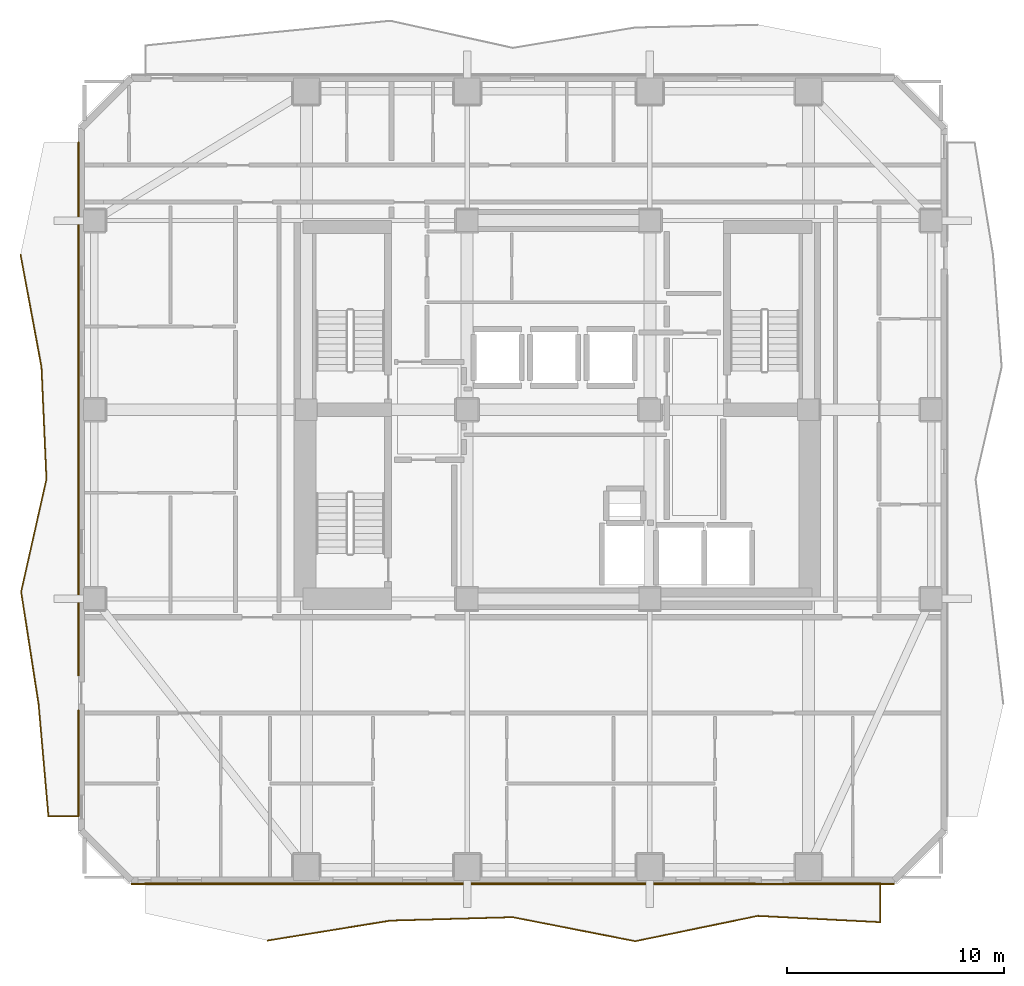
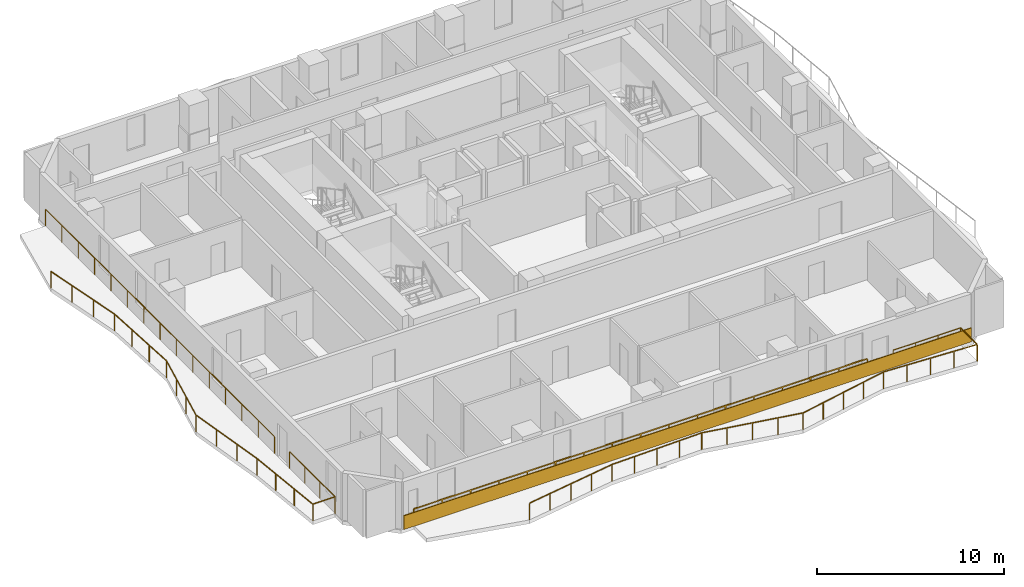
# One storey, part 8 of 11: 4 railings, 1 covering.
"""IFC4 building model written with IfcOpenShell, lengths in metres."""

import ifcopenshell
import ifcopenshell.guid

model = None  # the IFC model being written
_history = None  # IfcOwnerHistory: only IFC2X3 demands one
_inside = {}  # id of a spatial element -> (the spatial element, [elements in it])
_under = {}  # id of a project, library or spatial element -> (it, [spatial elements below it])
_declared = {}  # id of a project -> (the project, [libraries it declares])
_typed = {}  # id of a type object -> (the type object, [elements of that type])
_made_of = {}  # id of a material, layer set ... -> (it, [elements and type objects made of it])


def new_model(schema):
    """Start an empty IFC model of exactly this schema.

    Asked for "IFC4X3", IfcOpenShell would pick the latest addendum, in which some entities
    have other attributes; the version numbers below select the first issue.
    IFC2X3 requires an IfcOwnerHistory on every rooted entity: one is made here for all.
    """
    global model, _history
    if schema == "IFC4X3":
        model = ifcopenshell.file(schema_version=(4, 3, 0, 0))
    else:
        model = ifcopenshell.file(schema=schema)
    _inside.clear()
    _under.clear()
    _declared.clear()
    _typed.clear()
    _made_of.clear()
    _history = None
    if model.schema == "IFC2X3":
        org = make("IfcOrganization", Name="unknown")
        user = make(
            "IfcPersonAndOrganization",
            ThePerson=make("IfcPerson", FamilyName="unknown"),
            TheOrganization=org,
        )
        app = make(
            "IfcApplication",
            ApplicationDeveloper=org,
            Version="unknown",
            ApplicationFullName="unknown",
            ApplicationIdentifier="unknown",
        )
        _history = make(
            "IfcOwnerHistory",
            OwningUser=user,
            OwningApplication=app,
            ChangeAction="ADDED",
            CreationDate=0,
        )
    return model


def make(cls, **values):
    """One entity of the class cls with the attributes given. An attribute that is None is left unset."""
    return model.create_entity(
        cls, **{name: value for name, value in values.items() if value is not None}
    )


def rooted(cls, **values):
    """An entity with a GlobalId (a new one), such as an element, a storey or a relation."""
    return make(cls, GlobalId=ifcopenshell.guid.new(), OwnerHistory=_history, **values)


def si_unit(unit_type, name, prefix=None):
    """IfcSIUnit, for example si_unit("LENGTHUNIT", "METRE", prefix="MILLI")."""
    return make("IfcSIUnit", UnitType=unit_type, Prefix=prefix, Name=name)


def assignment(units):
    """IfcUnitAssignment: the units of a project."""
    return None if units is None else make("IfcUnitAssignment", Units=units)


def point(xyz):
    """IfcCartesianPoint."""
    return None if xyz is None else make("IfcCartesianPoint", Coordinates=xyz)


def direction(xyz):
    """IfcDirection."""
    return None if xyz is None else make("IfcDirection", DirectionRatios=xyz)


def frame(location, z_axis=None, x_axis=None):
    """IfcAxis2Placement3D, a coordinate frame: its origin and axes. An axis left out is left unset."""
    return make(
        "IfcAxis2Placement3D",
        Location=point(location),
        Axis=direction(z_axis),
        RefDirection=direction(x_axis),
    )


def frame_2d(location, x_axis=None):
    """IfcAxis2Placement2D, a coordinate frame in the plane: its origin and x axis."""
    return make(
        "IfcAxis2Placement2D", Location=point(location), RefDirection=direction(x_axis)
    )


def origin():
    """The frame at (0, 0, 0) with its axes left unset."""
    return frame((0.0, 0.0, 0.0))


def origin_2d():
    """The frame at (0, 0) in the plane with its x axis left unset."""
    return frame_2d((0.0, 0.0))


def place(relative_to, where):
    """IfcLocalPlacement: puts the frame where relative to a parent placement (None: the world)."""
    return make(
        "IfcLocalPlacement", PlacementRelTo=relative_to, RelativePlacement=where
    )


def context(
    kind, dimensions, precision=None, world=None, true_north=None, identifier=None
):
    """IfcGeometricRepresentationContext, for example the 3D "Model" context."""
    return make(
        "IfcGeometricRepresentationContext",
        ContextIdentifier=identifier,
        ContextType=kind,
        CoordinateSpaceDimension=dimensions,
        Precision=precision,
        WorldCoordinateSystem=world,
        TrueNorth=true_north,
    )


def subcontext(parent, identifier, kind, view, scale=None):
    """IfcGeometricRepresentationSubContext, for example "Body" below "Model"."""
    return make(
        "IfcGeometricRepresentationSubContext",
        ContextIdentifier=identifier,
        ContextType=kind,
        ParentContext=parent,
        TargetScale=scale,
        TargetView=view,
    )


def project(units=None, contexts=None):
    """IfcProject with its units and contexts."""
    return rooted(
        "IfcProject",
        Name="project",
        RepresentationContexts=contexts,
        UnitsInContext=assignment(units),
    )


def spatial(cls, under=None, at=None, **own):
    """A site, building, storey or space (cls), placed at a placement, below another one or the project."""
    s = rooted(cls, ObjectPlacement=at, **own)
    if under is not None:
        _under.setdefault(under.id(), (under, []))[1].append(s)
    return s


def profile(cls, at=None, kind="AREA", **sizes):
    """A parametric profile (cls). Its sizes go by their IFC names, for example OverallWidth=200.0."""
    return make(cls, ProfileType=kind, Position=at, **sizes)


def rectangle(**sizes):
    """IfcRectangleProfileDef."""
    return profile("IfcRectangleProfileDef", **sizes)


def extrude(swept, where, along, depth):
    """IfcExtrudedAreaSolid: the profile swept, set in the frame where, extruded along a direction by depth."""
    return make(
        "IfcExtrudedAreaSolid",
        SweptArea=swept,
        Position=where,
        ExtrudedDirection=direction(along),
        Depth=depth,
    )


def shape(context_of_items, identifier, shape_type, items):
    """IfcShapeRepresentation: the items that make up one representation, for example the "Body"."""
    return make(
        "IfcShapeRepresentation",
        ContextOfItems=context_of_items,
        RepresentationIdentifier=identifier,
        RepresentationType=shape_type,
        Items=items,
    )


def material(Name=None, Category=None):
    """IfcMaterial."""
    return make("IfcMaterial", Name=Name, Category=Category)


def layer(
    of_material, thickness, ventilated=None, Name=None, Category=None, Priority=None
):
    """IfcMaterialLayer: one layer of a wall or slab, of a material (None: an air gap)."""
    return make(
        "IfcMaterialLayer",
        Material=of_material,
        LayerThickness=thickness,
        IsVentilated=ventilated,
        Name=Name,
        Category=Category,
        Priority=Priority,
    )


def layer_set(layers, Name=None):
    """IfcMaterialLayerSet."""
    return make("IfcMaterialLayerSet", MaterialLayers=layers, LayerSetName=Name)


def made_of(thing, what):
    """Note that an element or type object is made of a material, layer set ...; save() writes the relation."""
    if what is not None:
        _made_of.setdefault(what.id(), (what, []))[1].append(thing)
    return thing


def type_object(cls, material=None, **own):
    """A type object (cls), such as IfcWallType, which elements share."""
    return made_of(rooted(cls, **own), material)


def element(
    cls,
    number,
    at=None,
    inside=None,
    cuts=None,
    type_object=None,
    material=None,
    context=None,
    identifier="Body",
    shape_type=None,
    held_by="IfcProductDefinitionShape",
    body=None,
    shapes=None,
    **own,
):
    """One element of the class cls, such as IfcWall. Its Tag is "e" and its number.

    at: its placement. inside: the storey or other place that contains it. cuts: it is an
    opening in that element (IfcRelVoidsElement). A single representation is given by context,
    identifier, shape_type and body (its items); several are given by shapes. held_by: the class
    of the entity that holds the representations. save() writes the other relations.
    """
    e = rooted(cls, Tag="e%d" % number, ObjectPlacement=at, **own)
    if body is not None:
        shapes = [shape(context, identifier, shape_type, body)]
    if shapes is not None:
        e.Representation = make(held_by, Representations=shapes)
    if inside is not None:
        _inside.setdefault(inside.id(), (inside, []))[1].append(e)
    if cuts is not None:
        rooted(
            "IfcRelVoidsElement", RelatingBuildingElement=cuts, RelatedOpeningElement=e
        )
    if type_object is not None:
        _typed.setdefault(type_object.id(), (type_object, []))[1].append(e)
    return made_of(e, material)


def aggregate(whole, parts):
    """IfcRelAggregates: a whole, such as a stair, and the parts it consists of."""
    return rooted("IfcRelAggregates", RelatingObject=whole, RelatedObjects=parts)


def save(model, path):
    """Write the relations noted so far, then the file.

    IfcRelAggregates (storeys below a building ...), IfcRelContainedInSpatialStructure (elements
    in a storey), IfcRelDefinesByType, IfcRelAssociatesMaterial and IfcRelDeclares: one each for
    every whole, place, type object, material and project.
    """
    for whole, parts in _under.values():
        aggregate(whole, parts)
    for where, things in _inside.values():
        rooted(
            "IfcRelContainedInSpatialStructure",
            RelatedElements=things,
            RelatingStructure=where,
        )
    for kind, things in _typed.values():
        rooted("IfcRelDefinesByType", RelatedObjects=things, RelatingType=kind)
    for what, things in _made_of.values():
        rooted("IfcRelAssociatesMaterial", RelatedObjects=things, RelatingMaterial=what)
    for by, libraries in _declared.values():
        rooted("IfcRelDeclares", RelatingContext=by, RelatedDefinitions=libraries)
    model.write(path)


model = new_model("IFC4")

# Units and contexts
model_context = context("Model", 3, precision=1e-05, world=origin(), true_north=direction((0.0, 1.0)))
body_context = subcontext(model_context, "Body", "Model", "MODEL_VIEW")
ifc_project = project(units=[si_unit("LENGTHUNIT", "METRE"), si_unit("AREAUNIT", "SQUARE_METRE"), si_unit("VOLUMEUNIT", "CUBIC_METRE"), si_unit("PLANEANGLEUNIT", "RADIAN"), si_unit("MASSUNIT", "GRAM", prefix="KILO")], contexts=[model_context])

# Site, building, storey
site_placement = place(None, origin())
site = spatial("IfcSite", under=ifc_project, at=site_placement, CompositionType="ELEMENT")
building_placement = place(site_placement, origin())
building = spatial("IfcBuilding", under=site, at=building_placement, Name="Solanera Arch Residences", CompositionType="ELEMENT")
storey_placement = place(building_placement, frame((0.0, 0.0, 116.0400390625)))
storey = spatial("IfcBuildingStorey", under=building, at=storey_placement, Name="L33", CompositionType="ELEMENT", Elevation=116.0400390625)

# Railings
ifc_material_1 = material(Name="Steel S355 (ASTM A992 / A572 Grade 50)", Category="steel")
railing_type = type_object("IfcRailingType", Name="Balustrade Railing BL-1100", PredefinedType="BALUSTRADE", material=ifc_material_1)
railing_1_placement = place(storey_placement, frame((11.633056640625, 6.281982421875, 0.0)))
element("IfcRailing", 1, at=railing_1_placement, inside=storey, type_object=railing_type, Name="L33 S Balcony Balustrade 1", PredefinedType="BALUSTRADE", context=body_context, shape_type="SweptSolid", body=[
    extrude(rectangle(XDim=0.048095703125, YDim=0.048095703125, at=origin_2d()), frame((0.0, 0.0, 1.09619140625), z_axis=(0.987066359213, 0.160312203247, 0.0), x_axis=(-0.160312203247, 0.987066359213, 0.0)), (0.0, 0.0, 1.0), 5.707763671875),
    extrude(rectangle(XDim=0.048095703125, YDim=0.048095703125, at=origin_2d()), frame((5.634033203125, 0.9150390625, 1.09619140625), z_axis=(0.999611877725, 0.027858462092, 0.0), x_axis=(-0.027858462092, 0.999611877725, 0.0)), (0.0, 0.0, 1.0), 5.635009765625),
    extrude(rectangle(XDim=0.048095703125, YDim=0.048095703125, at=origin_2d()), frame((11.266845703125, 1.072021484375, 1.09619140625), z_axis=(0.981362848682, -0.192163886376, 0.0), x_axis=(0.192163886376, 0.981362848682, 0.0)), (0.0, 0.0, 1.0), 5.739990234375),
    extrude(rectangle(XDim=0.048095703125, YDim=0.048095703125, at=origin_2d()), frame((16.89990234375, -0.031005859375, 1.09619140625), z_axis=(0.979349170008, 0.202176168736, 0.0), x_axis=(-0.202176168736, 0.979349170008, 0.0)), (0.0, 0.0, 1.0), 5.7529296875),
    extrude(rectangle(XDim=0.048095703125, YDim=0.048095703125, at=origin_2d()), frame((22.533935546875, 1.132080078125, 1.09619140625), z_axis=(0.998694806263, -0.051075277224, 0.0), x_axis=(0.051075277224, 0.998694806263, 0.0)), (0.0, 0.0, 1.0), 5.640380859375),
    extrude(rectangle(XDim=0.048095703125, YDim=0.048095703125, at=origin_2d()), frame((28.1669921875, 0.843994140625, 1.09619140625), z_axis=(0.0, 1.0, 0.0), x_axis=(-1.0, 0.0, 0.0)), (0.0, 0.0, 1.0), 1.7939453125),
    extrude(rectangle(XDim=0.048095703125, YDim=0.048095703125, at=origin_2d()), frame((28.1669921875, 2.637939453125, 1.09619140625), z_axis=(-1.0, 0.0, 0.0), x_axis=(0.0, -1.0, 0.0)), (0.0, 0.0, 1.0), 4.1689453125),
    extrude(rectangle(XDim=0.0419921875, YDim=0.0419921875, at=origin_2d()), origin(), (0.0, 0.0, 1.0), 1.072021484375),
    extrude(rectangle(XDim=0.0419921875, YDim=0.0419921875, at=origin_2d()), frame((1.408447265625, 0.228759765625, 0.0)), (0.0, 0.0, 1.0), 1.072021484375),
    extrude(rectangle(XDim=0.0419921875, YDim=0.0419921875, at=origin_2d()), frame((2.81689453125, 0.45751953125, 0.0)), (0.0, 0.0, 1.0), 1.072021484375),
    extrude(rectangle(XDim=0.0419921875, YDim=0.0419921875, at=origin_2d()), frame((4.2255859375, 0.686279296875, 0.0)), (0.0, 0.0, 1.0), 1.072021484375),
    extrude(rectangle(XDim=0.0419921875, YDim=0.0419921875, at=origin_2d()), frame((5.634033203125, 0.9150390625, 0.0)), (0.0, 0.0, 1.0), 1.072021484375),
    extrude(rectangle(XDim=0.0419921875, YDim=0.0419921875, at=origin_2d()), frame((7.042236328125, 0.954345703125, 0.0)), (0.0, 0.0, 1.0), 1.072021484375),
    extrude(rectangle(XDim=0.0419921875, YDim=0.0419921875, at=origin_2d()), frame((8.450439453125, 0.99365234375, 0.0)), (0.0, 0.0, 1.0), 1.072021484375),
    extrude(rectangle(XDim=0.0419921875, YDim=0.0419921875, at=origin_2d()), frame((9.858642578125, 1.03271484375, 0.0)), (0.0, 0.0, 1.0), 1.072021484375),
    extrude(rectangle(XDim=0.0419921875, YDim=0.0419921875, at=origin_2d()), frame((11.266845703125, 1.072021484375, 0.0)), (0.0, 0.0, 1.0), 1.072021484375),
    extrude(rectangle(XDim=0.0419921875, YDim=0.0419921875, at=origin_2d()), frame((12.675048828125, 0.79638671875, 0.0)), (0.0, 0.0, 1.0), 1.072021484375),
    extrude(rectangle(XDim=0.0419921875, YDim=0.0419921875, at=origin_2d()), frame((14.08349609375, 0.5205078125, 0.0)), (0.0, 0.0, 1.0), 1.072021484375),
    extrude(rectangle(XDim=0.0419921875, YDim=0.0419921875, at=origin_2d()), frame((15.49169921875, 0.24462890625, 0.0)), (0.0, 0.0, 1.0), 1.072021484375),
    extrude(rectangle(XDim=0.0419921875, YDim=0.0419921875, at=origin_2d()), frame((16.89990234375, -0.031005859375, 0.0)), (0.0, 0.0, 1.0), 1.072021484375),
    extrude(rectangle(XDim=0.0419921875, YDim=0.0419921875, at=origin_2d()), frame((18.308349609375, 0.259765625, 0.0)), (0.0, 0.0, 1.0), 1.072021484375),
    extrude(rectangle(XDim=0.0419921875, YDim=0.0419921875, at=origin_2d()), frame((19.716796875, 0.550537109375, 0.0)), (0.0, 0.0, 1.0), 1.072021484375),
    extrude(rectangle(XDim=0.0419921875, YDim=0.0419921875, at=origin_2d()), frame((21.12548828125, 0.84130859375, 0.0)), (0.0, 0.0, 1.0), 1.072021484375),
    extrude(rectangle(XDim=0.0419921875, YDim=0.0419921875, at=origin_2d()), frame((22.533935546875, 1.132080078125, 0.0)), (0.0, 0.0, 1.0), 1.072021484375),
    extrude(rectangle(XDim=0.0419921875, YDim=0.0419921875, at=origin_2d()), frame((23.942138671875, 1.06005859375, 0.0)), (0.0, 0.0, 1.0), 1.072021484375),
    extrude(rectangle(XDim=0.0419921875, YDim=0.0419921875, at=origin_2d()), frame((25.3505859375, 0.988037109375, 0.0)), (0.0, 0.0, 1.0), 1.072021484375),
    extrude(rectangle(XDim=0.0419921875, YDim=0.0419921875, at=origin_2d()), frame((26.7587890625, 0.916015625, 0.0)), (0.0, 0.0, 1.0), 1.072021484375),
    extrude(rectangle(XDim=0.0419921875, YDim=0.0419921875, at=origin_2d()), frame((28.1669921875, 0.843994140625, 0.0)), (0.0, 0.0, 1.0), 1.072021484375),
    extrude(rectangle(XDim=0.0419921875, YDim=0.0419921875, at=origin_2d()), frame((28.1669921875, 2.637939453125, 0.0)), (0.0, 0.0, 1.0), 1.072021484375),
    extrude(rectangle(XDim=0.0419921875, YDim=0.0419921875, at=origin_2d()), frame((26.77734375, 2.637939453125, 0.0)), (0.0, 0.0, 1.0), 1.072021484375),
    extrude(rectangle(XDim=0.0419921875, YDim=0.0419921875, at=origin_2d()), frame((25.3876953125, 2.637939453125, 0.0)), (0.0, 0.0, 1.0), 1.072021484375),
    extrude(rectangle(XDim=0.0419921875, YDim=0.0419921875, at=origin_2d()), frame((23.998046875, 2.637939453125, 0.0)), (0.0, 0.0, 1.0), 1.072021484375),
])
railing_2_placement = place(storey_placement, frame((34.031005859375, 8.919921875, 0.0)))
element("IfcRailing", 2, at=railing_2_placement, inside=storey, type_object=railing_type, Name="L33 S Balcony Balustrade 2", PredefinedType="BALUSTRADE", context=body_context, shape_type="SweptSolid", body=[
    extrude(rectangle(XDim=0.048095703125, YDim=0.048095703125, at=origin_2d()), frame((0.0, 0.0, 1.09619140625), z_axis=(-1.0, 0.0, 0.0), x_axis=(0.0, -1.0, 0.0)), (0.0, 0.0, 1.0), 28.031005859375),
    extrude(rectangle(XDim=0.0419921875, YDim=0.0419921875, at=origin_2d()), origin(), (0.0, 0.0, 1.0), 1.072021484375),
    extrude(rectangle(XDim=0.0419921875, YDim=0.0419921875, at=origin_2d()), frame((-1.751953125, 0.0, 0.0)), (0.0, 0.0, 1.0), 1.072021484375),
    extrude(rectangle(XDim=0.0419921875, YDim=0.0419921875, at=origin_2d()), frame((-3.50390625, 0.0, 0.0)), (0.0, 0.0, 1.0), 1.072021484375),
    extrude(rectangle(XDim=0.0419921875, YDim=0.0419921875, at=origin_2d()), frame((-5.255859375, 0.0, 0.0)), (0.0, 0.0, 1.0), 1.072021484375),
    extrude(rectangle(XDim=0.0419921875, YDim=0.0419921875, at=origin_2d()), frame((-7.0078125, 0.0, 0.0)), (0.0, 0.0, 1.0), 1.072021484375),
    extrude(rectangle(XDim=0.0419921875, YDim=0.0419921875, at=origin_2d()), frame((-8.759765625, 0.0, 0.0)), (0.0, 0.0, 1.0), 1.072021484375),
    extrude(rectangle(XDim=0.0419921875, YDim=0.0419921875, at=origin_2d()), frame((-10.51171875, 0.0, 0.0)), (0.0, 0.0, 1.0), 1.072021484375),
    extrude(rectangle(XDim=0.0419921875, YDim=0.0419921875, at=origin_2d()), frame((-12.263671875, 0.0, 0.0)), (0.0, 0.0, 1.0), 1.072021484375),
    extrude(rectangle(XDim=0.0419921875, YDim=0.0419921875, at=origin_2d()), frame((-14.015625, 0.0, 0.0)), (0.0, 0.0, 1.0), 1.072021484375),
    extrude(rectangle(XDim=0.0419921875, YDim=0.0419921875, at=origin_2d()), frame((-15.767333984375, 0.0, 0.0)), (0.0, 0.0, 1.0), 1.072021484375),
    extrude(rectangle(XDim=0.0419921875, YDim=0.0419921875, at=origin_2d()), frame((-17.519287109375, 0.0, 0.0)), (0.0, 0.0, 1.0), 1.072021484375),
    extrude(rectangle(XDim=0.0419921875, YDim=0.0419921875, at=origin_2d()), frame((-19.271240234375, 0.0, 0.0)), (0.0, 0.0, 1.0), 1.072021484375),
    extrude(rectangle(XDim=0.0419921875, YDim=0.0419921875, at=origin_2d()), frame((-21.023193359375, 0.0, 0.0)), (0.0, 0.0, 1.0), 1.072021484375),
    extrude(rectangle(XDim=0.0419921875, YDim=0.0419921875, at=origin_2d()), frame((-22.775146484375, 0.0, 0.0)), (0.0, 0.0, 1.0), 1.072021484375),
    extrude(rectangle(XDim=0.0419921875, YDim=0.0419921875, at=origin_2d()), frame((-24.527099609375, 0.0, 0.0)), (0.0, 0.0, 1.0), 1.072021484375),
    extrude(rectangle(XDim=0.0419921875, YDim=0.0419921875, at=origin_2d()), frame((-26.279052734375, 0.0, 0.0)), (0.0, 0.0, 1.0), 1.072021484375),
    extrude(rectangle(XDim=0.0419921875, YDim=0.0419921875, at=origin_2d()), frame((-28.031005859375, 0.0, 0.0)), (0.0, 0.0, 1.0), 1.072021484375),
])
railing_3_placement = place(storey_placement, frame((0.2529296875, 37.8330078125, 0.0)))
element("IfcRailing", 3, at=railing_3_placement, inside=storey, type_object=railing_type, Name="L33 W Balcony Balustrade 1", PredefinedType="BALUSTRADE", context=body_context, shape_type="SweptSolid", body=[
    extrude(rectangle(XDim=0.048095703125, YDim=0.048095703125, at=origin_2d()), frame((0.0, 0.0, 1.09619140625), z_axis=(0.182919404068, -0.983127912133, 0.0), x_axis=(0.983127912133, 0.182919404068, 0.0)), (0.0, 0.0, 1.0), 5.254638671875),
    extrude(rectangle(XDim=0.048095703125, YDim=0.048095703125, at=origin_2d()), frame((0.961181640625, -5.166015625, 1.09619140625), z_axis=(0.044041519162, -0.999029701555, 0.0), x_axis=(0.999029701555, 0.044041519162, 0.0)), (0.0, 0.0, 1.0), 5.172119140625),
    extrude(rectangle(XDim=0.048095703125, YDim=0.048095703125, at=origin_2d()), frame((1.18896484375, -10.3330078125, 1.09619140625), z_axis=(-0.219560458319, -0.975598895624, 0.0), x_axis=(0.975598895624, -0.219560458319, 0.0)), (0.0, 0.0, 1.0), 5.296142578125),
    extrude(rectangle(XDim=0.048095703125, YDim=0.048095703125, at=origin_2d()), frame((0.026123046875, -15.5, 1.09619140625), z_axis=(0.153225680469, -0.988191221801, 0.0), x_axis=(0.988191221801, 0.153225680469, 0.0)), (0.0, 0.0, 1.0), 5.227783203125),
    extrude(rectangle(XDim=0.048095703125, YDim=0.048095703125, at=origin_2d()), frame((0.8271484375, -20.666015625, 1.09619140625), z_axis=(0.08750093035, -0.996164437825, 0.0), x_axis=(0.996164437825, 0.08750093035, 0.0)), (0.0, 0.0, 1.0), 5.186767578125),
    extrude(rectangle(XDim=0.048095703125, YDim=0.048095703125, at=origin_2d()), frame((1.281005859375, -25.8330078125, 1.09619140625), z_axis=(1.0, 0.0, 0.0), x_axis=(0.0, 1.0, 0.0)), (0.0, 0.0, 1.0), 1.385986328125),
    extrude(rectangle(XDim=0.048095703125, YDim=0.048095703125, at=origin_2d()), frame((2.6669921875, -25.8330078125, 1.09619140625), z_axis=(0.0, 1.0, 0.0), x_axis=(-1.0, 0.0, 0.0)), (0.0, 0.0, 1.0), 4.873046875),
    extrude(rectangle(XDim=0.0419921875, YDim=0.0419921875, at=origin_2d()), origin(), (0.0, 0.0, 1.0), 1.072021484375),
    extrude(rectangle(XDim=0.0419921875, YDim=0.0419921875, at=origin_2d()), frame((0.3203125, -1.721923828125, 0.0)), (0.0, 0.0, 1.0), 1.072021484375),
    extrude(rectangle(XDim=0.0419921875, YDim=0.0419921875, at=origin_2d()), frame((0.640869140625, -3.444091796875, 0.0)), (0.0, 0.0, 1.0), 1.072021484375),
    extrude(rectangle(XDim=0.0419921875, YDim=0.0419921875, at=origin_2d()), frame((0.961181640625, -5.166015625, 0.0)), (0.0, 0.0, 1.0), 1.072021484375),
    extrude(rectangle(XDim=0.0419921875, YDim=0.0419921875, at=origin_2d()), frame((1.037109375, -6.888427734375, 0.0)), (0.0, 0.0, 1.0), 1.072021484375),
    extrude(rectangle(XDim=0.0419921875, YDim=0.0419921875, at=origin_2d()), frame((1.113037109375, -8.610595703125, 0.0)), (0.0, 0.0, 1.0), 1.072021484375),
    extrude(rectangle(XDim=0.0419921875, YDim=0.0419921875, at=origin_2d()), frame((1.18896484375, -10.3330078125, 0.0)), (0.0, 0.0, 1.0), 1.072021484375),
    extrude(rectangle(XDim=0.0419921875, YDim=0.0419921875, at=origin_2d()), frame((0.80126953125, -12.055419921875, 0.0)), (0.0, 0.0, 1.0), 1.072021484375),
    extrude(rectangle(XDim=0.0419921875, YDim=0.0419921875, at=origin_2d()), frame((0.413818359375, -13.777587890625, 0.0)), (0.0, 0.0, 1.0), 1.072021484375),
    extrude(rectangle(XDim=0.0419921875, YDim=0.0419921875, at=origin_2d()), frame((0.026123046875, -15.5, 0.0)), (0.0, 0.0, 1.0), 1.072021484375),
    extrude(rectangle(XDim=0.0419921875, YDim=0.0419921875, at=origin_2d()), frame((0.293212890625, -17.221923828125, 0.0)), (0.0, 0.0, 1.0), 1.072021484375),
    extrude(rectangle(XDim=0.0419921875, YDim=0.0419921875, at=origin_2d()), frame((0.56005859375, -18.944091796875, 0.0)), (0.0, 0.0, 1.0), 1.072021484375),
    extrude(rectangle(XDim=0.0419921875, YDim=0.0419921875, at=origin_2d()), frame((0.8271484375, -20.666015625, 0.0)), (0.0, 0.0, 1.0), 1.072021484375),
    extrude(rectangle(XDim=0.0419921875, YDim=0.0419921875, at=origin_2d()), frame((0.978515625, -22.388427734375, 0.0)), (0.0, 0.0, 1.0), 1.072021484375),
    extrude(rectangle(XDim=0.0419921875, YDim=0.0419921875, at=origin_2d()), frame((1.129638671875, -24.110595703125, 0.0)), (0.0, 0.0, 1.0), 1.072021484375),
    extrude(rectangle(XDim=0.0419921875, YDim=0.0419921875, at=origin_2d()), frame((1.281005859375, -25.8330078125, 0.0)), (0.0, 0.0, 1.0), 1.072021484375),
    extrude(rectangle(XDim=0.0419921875, YDim=0.0419921875, at=origin_2d()), frame((2.6669921875, -25.8330078125, 0.0)), (0.0, 0.0, 1.0), 1.072021484375),
    extrude(rectangle(XDim=0.0419921875, YDim=0.0419921875, at=origin_2d()), frame((2.6669921875, -24.208740234375, 0.0)), (0.0, 0.0, 1.0), 1.072021484375),
    extrude(rectangle(XDim=0.0419921875, YDim=0.0419921875, at=origin_2d()), frame((2.6669921875, -22.584228515625, 0.0)), (0.0, 0.0, 1.0), 1.072021484375),
    extrude(rectangle(XDim=0.0419921875, YDim=0.0419921875, at=origin_2d()), frame((2.6669921875, -20.9599609375, 0.0)), (0.0, 0.0, 1.0), 1.072021484375),
])
railing_4_placement = place(storey_placement, frame((2.919921875, 18.472900390625, 0.0)))
element("IfcRailing", 4, at=railing_4_placement, inside=storey, type_object=railing_type, Name="L33 W Balcony Balustrade 2", PredefinedType="BALUSTRADE", context=body_context, shape_type="SweptSolid", body=[
    extrude(rectangle(XDim=0.048095703125, YDim=0.048095703125, at=origin_2d()), frame((0.0, 0.0, 1.09619140625), z_axis=(0.0, 1.0, 0.0), x_axis=(-1.0, 0.0, 0.0)), (0.0, 0.0, 1.0), 24.527099609375),
    extrude(rectangle(XDim=0.0419921875, YDim=0.0419921875, at=origin_2d()), origin(), (0.0, 0.0, 1.0), 1.072021484375),
    extrude(rectangle(XDim=0.0419921875, YDim=0.0419921875, at=origin_2d()), frame((0.0, 1.751953125, 0.0)), (0.0, 0.0, 1.0), 1.072021484375),
    extrude(rectangle(XDim=0.0419921875, YDim=0.0419921875, at=origin_2d()), frame((0.0, 3.50390625, 0.0)), (0.0, 0.0, 1.0), 1.072021484375),
    extrude(rectangle(XDim=0.0419921875, YDim=0.0419921875, at=origin_2d()), frame((0.0, 5.255859375, 0.0)), (0.0, 0.0, 1.0), 1.072021484375),
    extrude(rectangle(XDim=0.0419921875, YDim=0.0419921875, at=origin_2d()), frame((0.0, 7.0078125, 0.0)), (0.0, 0.0, 1.0), 1.072021484375),
    extrude(rectangle(XDim=0.0419921875, YDim=0.0419921875, at=origin_2d()), frame((0.0, 8.759765625, 0.0)), (0.0, 0.0, 1.0), 1.072021484375),
    extrude(rectangle(XDim=0.0419921875, YDim=0.0419921875, at=origin_2d()), frame((0.0, 10.51171875, 0.0)), (0.0, 0.0, 1.0), 1.072021484375),
    extrude(rectangle(XDim=0.0419921875, YDim=0.0419921875, at=origin_2d()), frame((0.0, 12.263671875, 0.0)), (0.0, 0.0, 1.0), 1.072021484375),
    extrude(rectangle(XDim=0.0419921875, YDim=0.0419921875, at=origin_2d()), frame((0.0, 14.015380859375, 0.0)), (0.0, 0.0, 1.0), 1.072021484375),
    extrude(rectangle(XDim=0.0419921875, YDim=0.0419921875, at=origin_2d()), frame((0.0, 15.767333984375, 0.0)), (0.0, 0.0, 1.0), 1.072021484375),
    extrude(rectangle(XDim=0.0419921875, YDim=0.0419921875, at=origin_2d()), frame((0.0, 17.519287109375, 0.0)), (0.0, 0.0, 1.0), 1.072021484375),
    extrude(rectangle(XDim=0.0419921875, YDim=0.0419921875, at=origin_2d()), frame((0.0, 19.271240234375, 0.0)), (0.0, 0.0, 1.0), 1.072021484375),
    extrude(rectangle(XDim=0.0419921875, YDim=0.0419921875, at=origin_2d()), frame((0.0, 21.023193359375, 0.0)), (0.0, 0.0, 1.0), 1.072021484375),
    extrude(rectangle(XDim=0.0419921875, YDim=0.0419921875, at=origin_2d()), frame((0.0, 22.775146484375, 0.0)), (0.0, 0.0, 1.0), 1.072021484375),
    extrude(rectangle(XDim=0.0419921875, YDim=0.0419921875, at=origin_2d()), frame((0.0, 24.527099609375, 0.0)), (0.0, 0.0, 1.0), 1.072021484375),
])

# Covering
ifc_material_2 = material(Name="Philippine Adobe Travertine Cladding", Category="masonry")
ifc_layer = layer(ifc_material_2, 0.06005859375)
ifc_layer_set = layer_set([ifc_layer], Name="Philippine Adobe Travertine Cladding")
covering_type = type_object("IfcCoveringType", Name="Precast Pier Stone Cladding CLD-60", PredefinedType="CLADDING", material=ifc_layer_set)
covering_placement = place(storey_placement, frame((40.445068359375, 8.885009765625, 0.0), z_axis=(0.0, 0.0, 1.0), x_axis=(-1.0, 0.0, 0.0)))
element("IfcCovering", 5, at=covering_placement, inside=storey, type_object=covering_type, Name="L33 S Precast Spandrel Stone Band", PredefinedType="CLADDING", context=body_context, shape_type="SweptSolid", body=[
    extrude(rectangle(XDim=35.090087890625, YDim=0.06005859375, at=frame_2d((17.544921875, 0.0))), origin(), (0.0, 0.0, 1.0), 0.89990234375),
])

save(model, "model.ifc")
